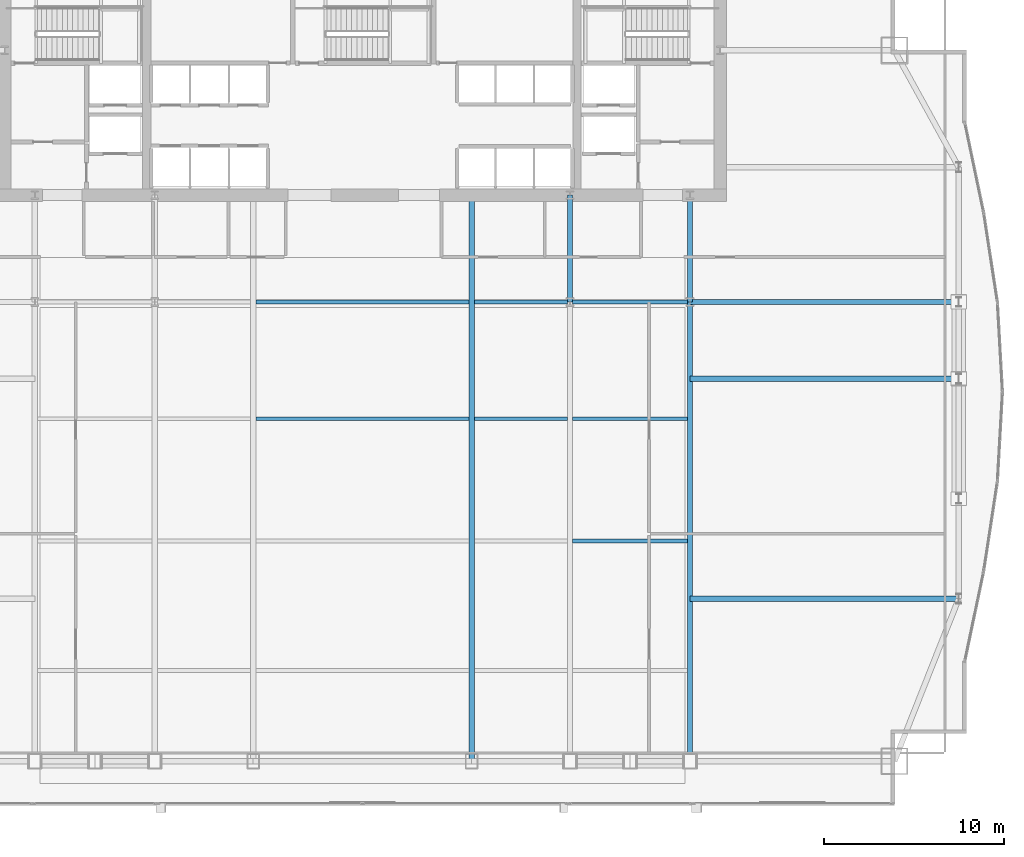
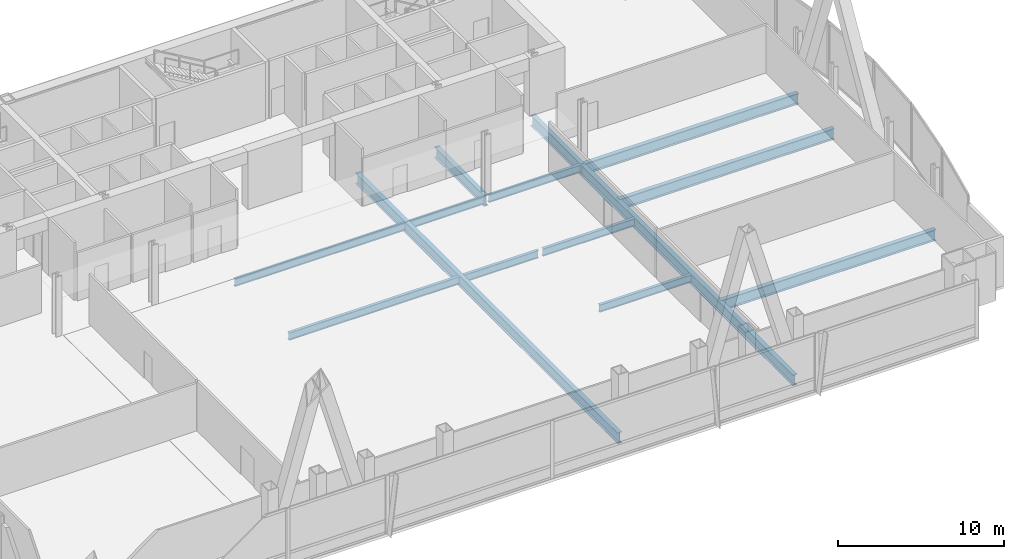
# One storey, part 17 of 32: 14 beams.
"""IFC4 building model written with IfcOpenShell, lengths in metres."""

from ifc_helpers import new_model, si_unit, direction, frame, origin, origin_2d, place, context, subcontext, project, spatial, i_section, extrude, material, material_profile, profile_set, type_object, element, save


model = new_model("IFC4")

# Units and contexts
model_context = context("Model", 3, precision=1e-05, world=origin(), true_north=direction((0.0, 1.0)))
body_context = subcontext(model_context, "Body", "Model", "MODEL_VIEW")
ifc_project = project(units=[si_unit("LENGTHUNIT", "METRE"), si_unit("AREAUNIT", "SQUARE_METRE"), si_unit("VOLUMEUNIT", "CUBIC_METRE"), si_unit("PLANEANGLEUNIT", "RADIAN"), si_unit("MASSUNIT", "GRAM", prefix="KILO")], contexts=[model_context])

# Site, building, storey
site_placement = place(None, origin())
site = spatial("IfcSite", under=ifc_project, at=site_placement, CompositionType="ELEMENT")
building_placement = place(site_placement, origin())
building = spatial("IfcBuilding", under=site, at=building_placement, Name="Khoronbel Lancet Exchange", CompositionType="ELEMENT")
storey_placement = place(building_placement, frame((0.0, 0.0, 106.60009765625)))
storey = spatial("IfcBuildingStorey", under=building, at=storey_placement, Name="L25", CompositionType="ELEMENT", Elevation=106.60009765625)

# Beams
ifc_material = material(Name="Steel S355", Category="steel")
ifc_material_profile_1 = material_profile(ifc_material, i_section(OverallWidth=0.300048828125, OverallDepth=0.800048828125, WebThickness=0.017578125, FlangeThickness=0.032958984375, at=origin_2d()), Name="HEB 800")
ifc_profile_set_1 = profile_set([ifc_material_profile_1], Name="Steel S355")
beam_type_1 = type_object("IfcBeamType", Name="BM-BG2", PredefinedType="BEAM", material=ifc_profile_set_1)
beam_1_placement = place(storey_placement, frame((42.52490234375, 10.14990234375, -0.60009765625), z_axis=(0.0, 1.0, 0.0), x_axis=(-1.0, 0.0, 0.0)))
element("IfcBeam", 1, at=beam_1_placement, inside=storey, type_object=beam_type_1, Name="Level L25 primary floor girder G4", PredefinedType="BEAM", context=body_context, shape_type="SweptSolid", body=[
    extrude(i_section(OverallWidth=0.300048828125, OverallDepth=0.800048828125, WebThickness=0.017578125, FlangeThickness=0.032958984375, at=origin_2d()), origin(), (0.0, 0.0, 1.0), 31.5),
])
beam_2_placement = place(storey_placement, frame((48.0, 35.699951171875, -0.60009765625), z_axis=(0.0, 1.0, 0.0), x_axis=(-1.0, 0.0, 0.0)))
element("IfcBeam", 2, at=beam_2_placement, inside=storey, type_object=beam_type_1, Name="Level L25 spine tie girder GN5", PredefinedType="BEAM", context=body_context, shape_type="SweptSolid", body=[
    extrude(i_section(OverallWidth=0.300048828125, OverallDepth=0.800048828125, WebThickness=0.017578125, FlangeThickness=0.032958984375, at=origin_2d()), origin(), (0.0, 0.0, 1.0), 5.949951171875),
])
beam_3_placement = place(storey_placement, frame((54.675048828125, 10.14990234375, -0.60009765625), z_axis=(0.0, 1.0, 0.0), x_axis=(-1.0, 0.0, 0.0)))
element("IfcBeam", 3, at=beam_3_placement, inside=storey, type_object=beam_type_1, Name="Level L25 south primary girder GS6", PredefinedType="BEAM", context=body_context, shape_type="SweptSolid", body=[
    extrude(i_section(OverallWidth=0.300048828125, OverallDepth=0.800048828125, WebThickness=0.017578125, FlangeThickness=0.032958984375, at=origin_2d()), origin(), (0.0, 0.0, 1.0), 25.550048828125),
])
beam_4_placement = place(storey_placement, frame((54.675048828125, 35.699951171875, -0.60009765625), z_axis=(0.0, 1.0, 0.0), x_axis=(-1.0, 0.0, 0.0)))
element("IfcBeam", 4, at=beam_4_placement, inside=storey, type_object=beam_type_1, Name="Level L25 spine tie girder GN6", PredefinedType="BEAM", context=body_context, shape_type="SweptSolid", body=[
    extrude(i_section(OverallWidth=0.300048828125, OverallDepth=0.800048828125, WebThickness=0.017578125, FlangeThickness=0.032958984375, at=origin_2d()), origin(), (0.0, 0.0, 1.0), 5.949951171875),
])
for number, where, z_axis, x_axis, name in (
    (5, (54.675048828125, 19.199951171875, -0.60009765625), (1.0, 0.0, 0.0), (0.0, 1.0, 0.0), "Level L25 east lens tie girder LG1E"),
    (6, (54.675048828125, 31.425048828125, -0.60009765625), (1.0, 0.0, 0.0), (0.0, 1.0, 0.0), "Level L25 east lens tie girder LG2E"),
    (7, (54.675048828125, 35.699951171875, -0.60009765625), (1.0, 0.0, 0.0), (0.0, 1.0, 0.0), "Level L25 east lens tie girder LG4E"),
):
    element("IfcBeam", number, at=place(storey_placement, frame(where, z_axis=z_axis, x_axis=x_axis)), inside=storey, type_object=beam_type_1, Name=name, PredefinedType="BEAM", context=body_context, shape_type="SweptSolid", body=[
        extrude(i_section(OverallWidth=0.300048828125, OverallDepth=0.800048828125, WebThickness=0.017578125, FlangeThickness=0.032958984375, at=origin_2d()), origin(), (0.0, 0.0, 1.0), 14.954833984375),
    ])
ifc_material_profile_2 = material_profile(ifc_material, i_section(OverallWidth=0.2099609375, OverallDepth=0.550048828125, WebThickness=0.010986328125, FlangeThickness=0.01708984375, at=origin_2d()), Name="IPE 550")
ifc_profile_set_2 = profile_set([ifc_material_profile_2], Name="Steel S355")
beam_type_2 = type_object("IfcBeamType", Name="BM-BJ2", PredefinedType="JOIST", material=ifc_profile_set_2)
beam_5_placement = place(storey_placement, frame((48.14990234375, 22.39990234375, -0.47509765625), z_axis=(1.0, 0.0, 0.0), x_axis=(0.0, 1.0, 0.0)))
element("IfcBeam", 8, at=beam_5_placement, inside=storey, type_object=beam_type_2, Name="Level L25 secondary composite joist J10", PredefinedType="JOIST", context=body_context, shape_type="SweptSolid", body=[
    extrude(i_section(OverallWidth=0.2099609375, OverallDepth=0.550048828125, WebThickness=0.010986328125, FlangeThickness=0.01708984375, at=origin_2d()), origin(), (0.0, 0.0, 1.0), 6.375),
])
beam_6_placement = place(storey_placement, frame((30.52490234375, 29.199951171875, -0.47509765625), z_axis=(1.0, 0.0, 0.0), x_axis=(0.0, 1.0, 0.0)))
element("IfcBeam", 9, at=beam_6_placement, inside=storey, type_object=beam_type_2, Name="Level L25 secondary composite joist J13", PredefinedType="JOIST", context=body_context, shape_type="SweptSolid", body=[
    extrude(i_section(OverallWidth=0.2099609375, OverallDepth=0.550048828125, WebThickness=0.010986328125, FlangeThickness=0.01708984375, at=origin_2d()), origin(), (0.0, 0.0, 1.0), 11.85009765625),
])
beam_7_placement = place(storey_placement, frame((42.675048828125, 29.199951171875, -0.47509765625), z_axis=(1.0, 0.0, 0.0), x_axis=(0.0, 1.0, 0.0)))
element("IfcBeam", 10, at=beam_7_placement, inside=storey, type_object=beam_type_2, Name="Level L25 secondary composite joist J14", PredefinedType="JOIST", context=body_context, shape_type="SweptSolid", body=[
    extrude(i_section(OverallWidth=0.2099609375, OverallDepth=0.550048828125, WebThickness=0.010986328125, FlangeThickness=0.01708984375, at=origin_2d()), origin(), (0.0, 0.0, 1.0), 5.175048828125),
])
beam_8_placement = place(storey_placement, frame((48.14990234375, 29.199951171875, -0.47509765625), z_axis=(1.0, 0.0, 0.0), x_axis=(0.0, 1.0, 0.0)))
element("IfcBeam", 11, at=beam_8_placement, inside=storey, type_object=beam_type_2, Name="Level L25 secondary composite joist J15", PredefinedType="JOIST", context=body_context, shape_type="SweptSolid", body=[
    extrude(i_section(OverallWidth=0.2099609375, OverallDepth=0.550048828125, WebThickness=0.010986328125, FlangeThickness=0.01708984375, at=origin_2d()), origin(), (0.0, 0.0, 1.0), 6.375),
])
beam_9_placement = place(storey_placement, frame((30.52490234375, 35.699951171875, -0.47509765625), z_axis=(1.0, 0.0, 0.0), x_axis=(0.0, 1.0, 0.0)))
element("IfcBeam", 12, at=beam_9_placement, inside=storey, type_object=beam_type_2, Name="Level L25 secondary composite joist J18", PredefinedType="JOIST", context=body_context, shape_type="SweptSolid", body=[
    extrude(i_section(OverallWidth=0.2099609375, OverallDepth=0.550048828125, WebThickness=0.010986328125, FlangeThickness=0.01708984375, at=origin_2d()), origin(), (0.0, 0.0, 1.0), 11.85009765625),
])
beam_10_placement = place(storey_placement, frame((42.675048828125, 35.699951171875, -0.47509765625), z_axis=(1.0, 0.0, 0.0), x_axis=(0.0, 1.0, 0.0)))
element("IfcBeam", 13, at=beam_10_placement, inside=storey, type_object=beam_type_2, Name="Level L25 secondary composite joist J19", PredefinedType="JOIST", context=body_context, shape_type="SweptSolid", body=[
    extrude(i_section(OverallWidth=0.2099609375, OverallDepth=0.550048828125, WebThickness=0.010986328125, FlangeThickness=0.01708984375, at=origin_2d()), origin(), (0.0, 0.0, 1.0), 5.175048828125),
])
beam_11_placement = place(storey_placement, frame((48.14990234375, 35.699951171875, -0.47509765625), z_axis=(1.0, 0.0, 0.0), x_axis=(0.0, 1.0, 0.0)))
element("IfcBeam", 14, at=beam_11_placement, inside=storey, type_object=beam_type_2, Name="Level L25 secondary composite joist J20", PredefinedType="JOIST", context=body_context, shape_type="SweptSolid", body=[
    extrude(i_section(OverallWidth=0.2099609375, OverallDepth=0.550048828125, WebThickness=0.010986328125, FlangeThickness=0.01708984375, at=origin_2d()), origin(), (0.0, 0.0, 1.0), 6.375),
])

save(model, "model.ifc")
